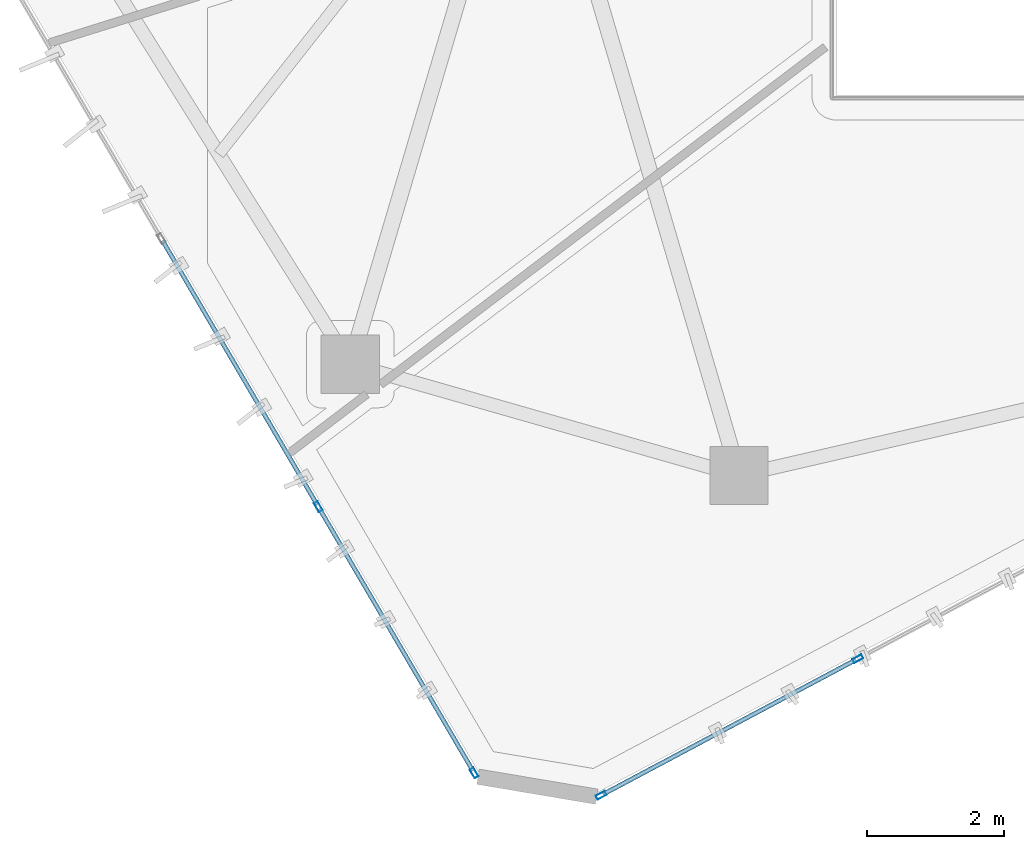
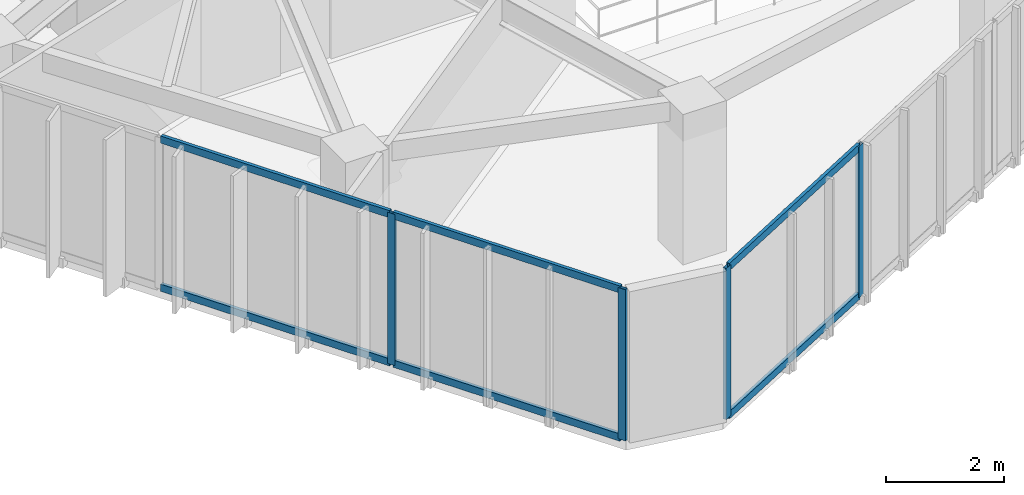
# One storey, part 2 of 20: 10 members, 2 elements without a shape of their own.
"""IFC4 building model written with IfcOpenShell, lengths in metres."""

from ifc_helpers import new_model, si_unit, direction, frame, origin, origin_2d, place, context, subcontext, project, spatial, hollow_rectangle, extrude, source, transform, mapped, material, layer, layer_set, material_profile, profile_set, type_object, type_shapes, element, aggregate, save


model = new_model("IFC4")

# Units and contexts
model_context = context("Model", 3, precision=1e-05, world=origin(), true_north=direction((0.0, 1.0)))
body_context = subcontext(model_context, "Body", "Model", "MODEL_VIEW")
ifc_project = project(units=[si_unit("LENGTHUNIT", "METRE"), si_unit("AREAUNIT", "SQUARE_METRE"), si_unit("VOLUMEUNIT", "CUBIC_METRE"), si_unit("PLANEANGLEUNIT", "RADIAN"), si_unit("MASSUNIT", "GRAM", prefix="KILO")], contexts=[model_context])

# Site, building, storey
site_placement = place(None, origin())
site = spatial("IfcSite", under=ifc_project, at=site_placement, CompositionType="ELEMENT")
building_placement = place(site_placement, origin())
building = spatial("IfcBuilding", under=site, at=building_placement, Name="Talar Marvaseh", CompositionType="ELEMENT")
storey_placement = place(building_placement, frame((0.0, 0.0, 261.199951171875)))
storey = spatial("IfcBuildingStorey", under=building, at=storey_placement, Name="L69", CompositionType="ELEMENT", Elevation=261.199951171875)

# Curtain wall, members
ifc_material = material(Name="Architectural Aluminium", Category="aluminium")
ifc_layer = layer(ifc_material, 0.179931640625)
ifc_layer_set = layer_set([ifc_layer], Name="Architectural Aluminium")
curtain_wall_type = type_object("IfcCurtainWallType", Name="Unitised High-Wind Sky Curtain Wall Z4", PredefinedType="NOTDEFINED", material=ifc_layer_set)
curtain_wall_1_placement = place(storey_placement, origin())
curtain_wall_1 = element("IfcCurtainWall", 1, at=curtain_wall_1_placement, inside=storey, type_object=curtain_wall_type, Name="L69 Unitised High-Wind Sky Curtain Wall Z4", PredefinedType="NOTDEFINED")
ifc_material_profile_1 = material_profile(ifc_material, hollow_rectangle(XDim=0.06494140625, YDim=0.14990234375, WallThickness=0.00390625, at=origin_2d()), Name="RHS150x65x4")
ifc_profile_set_1 = profile_set([ifc_material_profile_1], Name="Architectural Aluminium")
member_type_1 = type_object("IfcMemberType", Name="Unitised Curtain Wall Slim Transom RHS150x65x4", PredefinedType="USERDEFINED", material=ifc_profile_set_1)
shared_shape_1 = source(origin(), body_context, "Body", "SweptSolid", [
    extrude(hollow_rectangle(XDim=0.06494140625, YDim=0.14990234375, WallThickness=0.00390625, at=origin_2d()), origin(), (0.0, 0.0, 1.0), 4.447509765625),
])
member_1_placement = place(storey_placement, frame((17.8828125, 10.717529296875, 0.032470703125), z_axis=(-0.50519814835, 0.863003378269, 0.0), x_axis=(-0.863003378269, -0.50519814835, 0.0)))
member_1 = element("IfcMember", 2, at=member_1_placement, type_object=member_type_1, Name="CW-Z4 transom 1.1", ObjectType="TRANSOM", PredefinedType="USERDEFINED", context=body_context, shape_type="MappedRepresentation", body=[
    mapped(shared_shape_1, transform((0.0, 0.0, 0.0), x_axis=(1.0, 0.0, 0.0), y_axis=(0.0, 1.0, 0.0), z_axis=(0.0, 0.0, 1.0), scale=1.0)),
])
member_2_placement = place(storey_placement, frame((17.8828125, 10.717529296875, 3.107666015625), z_axis=(-0.50519814835, 0.863003378269, 0.0), x_axis=(-0.863003378269, -0.50519814835, 0.0)))
member_2 = element("IfcMember", 3, at=member_2_placement, type_object=member_type_1, Name="CW-Z4 transom 1.2", ObjectType="TRANSOM", PredefinedType="USERDEFINED", context=body_context, shape_type="MappedRepresentation", body=[
    mapped(shared_shape_1, transform((0.0, 0.0, 0.0), x_axis=(1.0, 0.0, 0.0), y_axis=(0.0, 1.0, 0.0), z_axis=(0.0, 0.0, 1.0), scale=1.0)),
])
shared_shape_2 = source(origin(), body_context, "Body", "SweptSolid", [
    extrude(hollow_rectangle(XDim=0.06494140625, YDim=0.14990234375, WallThickness=0.00390625, at=origin_2d()), origin(), (0.0, 0.0, 1.0), 4.47998046875),
])
member_3_placement = place(storey_placement, frame((15.60302734375, 14.611572265625, 0.032470703125), z_axis=(-0.505185141392, 0.86301099235, 0.0), x_axis=(-0.86301099235, -0.505185141392, 0.0)))
member_3 = element("IfcMember", 4, at=member_3_placement, type_object=member_type_1, Name="CW-Z4 transom 2.1", ObjectType="TRANSOM", PredefinedType="USERDEFINED", context=body_context, shape_type="MappedRepresentation", body=[
    mapped(shared_shape_2, transform((0.0, 0.0, 0.0), x_axis=(1.0, 0.0, 0.0), y_axis=(0.0, 1.0, 0.0), z_axis=(0.0, 0.0, 1.0), scale=1.0)),
])
member_4_placement = place(storey_placement, frame((15.60302734375, 14.611572265625, 3.107666015625), z_axis=(-0.505185141392, 0.86301099235, 0.0), x_axis=(-0.86301099235, -0.505185141392, 0.0)))
member_4 = element("IfcMember", 5, at=member_4_placement, type_object=member_type_1, Name="CW-Z4 transom 2.2", ObjectType="TRANSOM", PredefinedType="USERDEFINED", context=body_context, shape_type="MappedRepresentation", body=[
    mapped(shared_shape_2, transform((0.0, 0.0, 0.0), x_axis=(1.0, 0.0, 0.0), y_axis=(0.0, 1.0, 0.0), z_axis=(0.0, 0.0, 1.0), scale=1.0)),
])

curtain_wall_2_placement = place(storey_placement, origin())
curtain_wall_2 = element("IfcCurtainWall", 6, at=curtain_wall_2_placement, inside=storey, type_object=curtain_wall_type, Name="L69 Unitised High-Wind Sky Curtain Wall Z4", PredefinedType="NOTDEFINED")
shared_shape_3 = source(origin(), body_context, "Body", "SweptSolid", [
    extrude(hollow_rectangle(XDim=0.06494140625, YDim=0.14990234375, WallThickness=0.00390625, at=origin_2d()), origin(), (0.0, 0.0, 1.0), 4.18896484375),
])
type_shapes(member_type_1, [shared_shape_1, shared_shape_2, shared_shape_3])
member_5_placement = place(storey_placement, frame((23.48486328125, 12.343994140625, 0.032470703125), z_axis=(-0.882859021361, -0.469638103652, 0.0), x_axis=(0.469638103652, -0.882859021361, 0.0)))
member_5 = element("IfcMember", 7, at=member_5_placement, type_object=member_type_1, Name="CW-Z4 transom 4.1", ObjectType="TRANSOM", PredefinedType="USERDEFINED", context=body_context, shape_type="MappedRepresentation", body=[
    mapped(shared_shape_3, transform((0.0, 0.0, 0.0), x_axis=(1.0, 0.0, 0.0), y_axis=(0.0, 1.0, 0.0), z_axis=(0.0, 0.0, 1.0), scale=1.0)),
])
member_6_placement = place(storey_placement, frame((23.48486328125, 12.343994140625, 3.107666015625), z_axis=(-0.882859021361, -0.469638103652, 0.0), x_axis=(0.469638103652, -0.882859021361, 0.0)))
member_6 = element("IfcMember", 8, at=member_6_placement, type_object=member_type_1, Name="CW-Z4 transom 4.2", ObjectType="TRANSOM", PredefinedType="USERDEFINED", context=body_context, shape_type="MappedRepresentation", body=[
    mapped(shared_shape_3, transform((0.0, 0.0, 0.0), x_axis=(1.0, 0.0, 0.0), y_axis=(0.0, 1.0, 0.0), z_axis=(0.0, 0.0, 1.0), scale=1.0)),
])

# Member
ifc_material_profile_2 = material_profile(ifc_material, hollow_rectangle(XDim=0.06494140625, YDim=0.14990234375, WallThickness=0.00390625, at=origin_2d()), Name="RHS150x65x4")
ifc_profile_set_2 = profile_set([ifc_material_profile_2], Name="Architectural Aluminium")
member_type_2 = type_object("IfcMemberType", Name="Unitised Curtain Wall Slim Mullion RHS150x65x4", PredefinedType="MULLION", material=ifc_profile_set_2)
shared_shape_4 = source(origin(), body_context, "Body", "SweptSolid", [
    extrude(hollow_rectangle(XDim=0.06494140625, YDim=0.14990234375, WallThickness=0.00390625, at=origin_2d()), origin(), (0.0, 0.0, 1.0), 3.14013671875),
])
type_shapes(member_type_2, [shared_shape_4])
member_7_placement = place(storey_placement, frame((17.899169921875, 10.689453125, 0.0), z_axis=(0.0, 0.0, 1.0), x_axis=(-0.862990993638, -0.505219303768, 0.0)))
member_7 = element("IfcMember", 9, at=member_7_placement, type_object=member_type_2, Name="CW-Z4 mullion 1", PredefinedType="MULLION", context=body_context, shape_type="MappedRepresentation", body=[
    mapped(shared_shape_4, transform((0.0, 0.0, 0.0), x_axis=(1.0, 0.0, 0.0), y_axis=(0.0, 1.0, 0.0), z_axis=(0.0, 0.0, 1.0), scale=1.0)),
])

member_8_placement = place(storey_placement, frame((15.61962890625, 14.58349609375, 0.0), z_axis=(0.0, 0.0, 1.0), x_axis=(-0.862990993638, -0.505219303768, 0.0)))
member_8 = element("IfcMember", 10, at=member_8_placement, type_object=member_type_2, Name="CW-Z4 mullion 2", PredefinedType="MULLION", context=body_context, shape_type="MappedRepresentation", body=[
    mapped(shared_shape_4, transform((0.0, 0.0, 0.0), x_axis=(1.0, 0.0, 0.0), y_axis=(0.0, 1.0, 0.0), z_axis=(0.0, 0.0, 1.0), scale=1.0)),
])

aggregate(curtain_wall_1, [member_7, member_8, member_1, member_2, member_3, member_4])

member_9_placement = place(storey_placement, frame((23.513427734375, 12.359130859375, 0.0), z_axis=(0.0, 0.0, 1.0), x_axis=(0.469604073854, -0.882877122718, 0.0)))
member_9 = element("IfcMember", 11, at=member_9_placement, type_object=member_type_2, Name="CW-Z4 mullion 4", PredefinedType="MULLION", context=body_context, shape_type="MappedRepresentation", body=[
    mapped(shared_shape_4, transform((0.0, 0.0, 0.0), x_axis=(1.0, 0.0, 0.0), y_axis=(0.0, 1.0, 0.0), z_axis=(0.0, 0.0, 1.0), scale=1.0)),
])

member_10_placement = place(storey_placement, frame((19.7578125, 10.361572265625, 0.0), z_axis=(0.0, 0.0, 1.0), x_axis=(0.469604073854, -0.882877122718, 0.0)))
member_10 = element("IfcMember", 12, at=member_10_placement, type_object=member_type_2, Name="CW-Z4 mullion 5", PredefinedType="MULLION", context=body_context, shape_type="MappedRepresentation", body=[
    mapped(shared_shape_4, transform((0.0, 0.0, 0.0), x_axis=(1.0, 0.0, 0.0), y_axis=(0.0, 1.0, 0.0), z_axis=(0.0, 0.0, 1.0), scale=1.0)),
])

aggregate(curtain_wall_2, [member_9, member_10, member_5, member_6])

save(model, "model.ifc")
